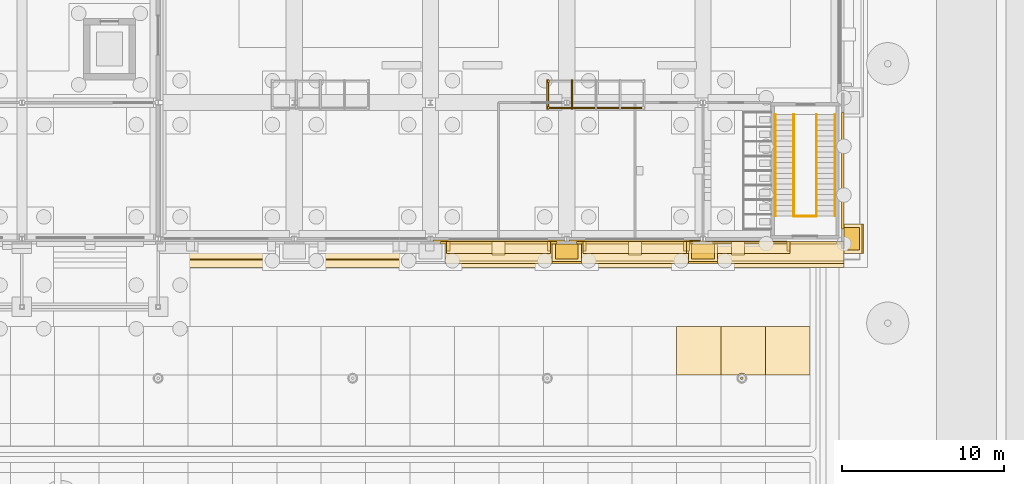
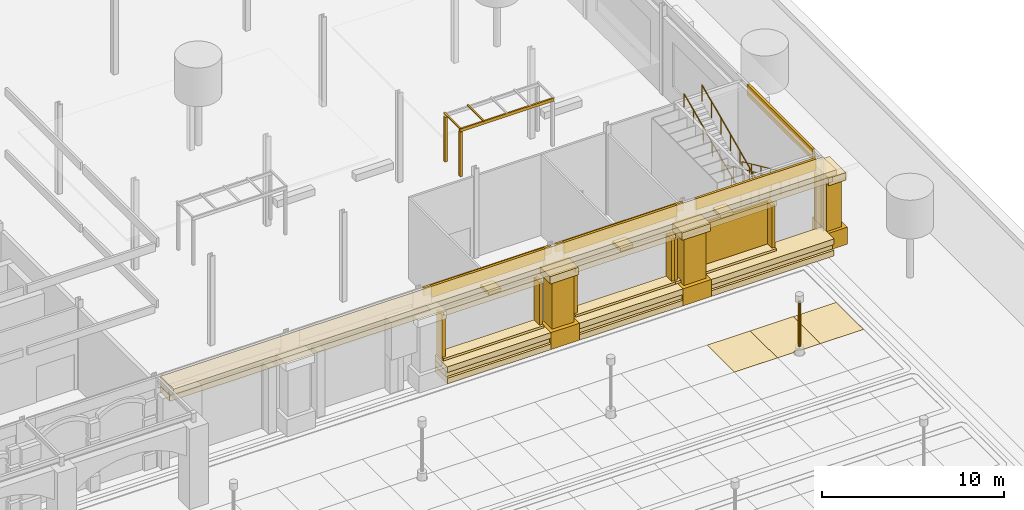
# One storey, part 163 of 222: 47 coverings, 5 railings, 5 shading devices.
"""IFC4 building model written with IfcOpenShell, lengths in metres."""

from ifc_helpers import new_model, si_unit, direction, frame, origin, origin_2d, place, context, subcontext, project, spatial, polyline, rectangle, circle, outline, extrude, material, layer, layer_set, material_profile, profile_set, type_object, element, save


model = new_model("IFC4")

# Units and contexts
model_context = context("Model", 3, precision=1e-05, world=origin(), true_north=direction((0.0, 1.0)))
body_context = subcontext(model_context, "Body", "Model", "MODEL_VIEW")
ifc_project = project(units=[si_unit("LENGTHUNIT", "METRE"), si_unit("AREAUNIT", "SQUARE_METRE"), si_unit("VOLUMEUNIT", "CUBIC_METRE"), si_unit("PLANEANGLEUNIT", "RADIAN"), si_unit("MASSUNIT", "GRAM", prefix="KILO")], contexts=[model_context])

# Site, building, storey
site_placement = place(None, origin())
site = spatial("IfcSite", under=ifc_project, at=site_placement, CompositionType="ELEMENT")
building_placement = place(site_placement, origin())
building = spatial("IfcBuilding", under=site, at=building_placement, Name="Sava Quay Ferry Terminal", CompositionType="ELEMENT")
storey_placement = place(building_placement, origin())
storey = spatial("IfcBuildingStorey", under=building, at=storey_placement, Name="L00", CompositionType="ELEMENT", Elevation=0.0)

# Coverings
ifc_material_1 = material(Name="Limestone Mutalj", Category="masonry")
ifc_layer_1 = layer(ifc_material_1, 1.0)
ifc_layer_set_1 = layer_set([ifc_layer_1], Name="Limestone Mutalj")
covering_type_1 = type_object("IfcCoveringType", Name="Architrave 1000", PredefinedType="MOLDING", material=ifc_layer_set_1)
covering_1_placement = place(storey_placement, frame((147.22509765625, 24.389892578125, 4.900146484375), z_axis=(0.0, 0.0, 1.0), x_axis=(1.0, 0.0, 0.0)))
element("IfcCovering", 1, at=covering_1_placement, inside=storey, type_object=covering_type_1, Name="Architrave", PredefinedType="MOLDING", context=body_context, shape_type="SweptSolid", body=[
    extrude(rectangle(XDim=42.14990234375, YDim=1.0, at=origin_2d()), origin(), (0.0, 0.0, 1.0), 0.39990234375),
])
ifc_material_2 = material(Name="Limestone Mutalj", Category="masonry")
ifc_layer_2 = layer(ifc_material_2, 0.1201171875)
ifc_layer_set_2 = layer_set([ifc_layer_2], Name="Limestone Mutalj")
covering_type_2 = type_object("IfcCoveringType", Name="Blind niche panel 120", PredefinedType="CLADDING", material=ifc_layer_set_2)
covering_2_placement = place(storey_placement, frame((161.77490234375, 24.97998046875, 1.349853515625), z_axis=(0.0, 0.0, 1.0), x_axis=(1.0, 0.0, 0.0)))
element("IfcCovering", 2, at=covering_2_placement, inside=storey, type_object=covering_type_2, Name="Blind niche panel", PredefinedType="CLADDING", context=body_context, shape_type="SweptSolid", body=[
    extrude(rectangle(XDim=6.0, YDim=0.1201171875, at=origin_2d()), origin(), (0.0, 0.0, 1.0), 2.85009765625),
])
ifc_material_3 = material(Name="Limestone Mutalj", Category="masonry")
ifc_layer_3 = layer(ifc_material_3, 1.449951171875)
ifc_layer_set_3 = layer_set([ifc_layer_3], Name="Limestone Mutalj")
covering_type_3 = type_object("IfcCoveringType", Name="Cornice 1450", PredefinedType="MOLDING", material=ifc_layer_set_3)
covering_3_placement = place(storey_placement, frame((147.22509765625, 24.1650390625, 5.64990234375), z_axis=(0.0, 0.0, 1.0), x_axis=(1.0, 0.0, 0.0)))
element("IfcCovering", 3, at=covering_3_placement, inside=storey, type_object=covering_type_3, Name="Cornice", PredefinedType="MOLDING", context=body_context, shape_type="SweptSolid", body=[
    extrude(rectangle(XDim=42.14990234375, YDim=1.449951171875, at=origin_2d()), origin(), (0.0, 0.0, 1.0), 0.35009765625),
])
ifc_material_4 = material(Name="Limestone Mutalj", Category="masonry")
ifc_layer_4 = layer(ifc_material_4, 0.030029296875)
ifc_layer_set_4 = layer_set([ifc_layer_4], Name="Limestone Mutalj")
covering_type_4 = type_object("IfcCoveringType", Name="Court paving tile 30", PredefinedType="FLOORING", material=ifc_layer_set_4)
covering_4_placement = place(storey_placement, origin())
element("IfcCovering", 4, at=covering_4_placement, inside=storey, type_object=covering_type_4, Name="Limestone paving tile", PredefinedType="FLOORING", context=body_context, shape_type="SweptSolid", body=[
    extrude(outline(polyline([(160.719970703125, 16.800048828125), (160.719970703125, 19.800048828125), (157.97998046875, 19.800048828125), (157.97998046875, 16.800048828125), (160.719970703125, 16.800048828125)])), origin(), (0.0, 0.0, 1.0), 0.030029296875),
])
covering_5_placement = place(storey_placement, origin())
element("IfcCovering", 5, at=covering_5_placement, inside=storey, type_object=covering_type_4, Name="Limestone paving tile", PredefinedType="FLOORING", context=body_context, shape_type="SweptSolid", body=[
    extrude(outline(polyline([(166.18994140625, 19.800048828125), (163.4599609375, 19.800048828125), (163.4599609375, 16.800048828125), (166.18994140625, 16.800048828125), (166.18994140625, 19.800048828125)])), origin(), (0.0, 0.0, 1.0), 0.030029296875),
])
ifc_material_5 = material(Name="Red sandstone Vrsac", Category="masonry")
ifc_layer_5 = layer(ifc_material_5, 0.030029296875)
ifc_layer_set_5 = layer_set([ifc_layer_5], Name="Red sandstone Vrsac")
covering_type_5 = type_object("IfcCoveringType", Name="Court paving tile sandstone 30", PredefinedType="FLOORING", material=ifc_layer_set_5)
covering_6_placement = place(storey_placement, origin())
element("IfcCovering", 6, at=covering_6_placement, inside=storey, type_object=covering_type_5, Name="Sandstone paving tile", PredefinedType="FLOORING", context=body_context, shape_type="SweptSolid", body=[
    extrude(outline(polyline([(163.4599609375, 16.800048828125), (163.4599609375, 19.800048828125), (160.719970703125, 19.800048828125), (160.719970703125, 16.800048828125), (161.762939453125, 16.800048828125), (161.781005859375, 16.820068359375), (161.802978515625, 16.839111328125), (161.826904296875, 16.85693359375), (161.85302734375, 16.873046875), (161.881103515625, 16.885986328125), (161.909912109375, 16.89599609375), (161.93994140625, 16.904052734375), (161.969970703125, 16.908935546875), (162.0, 16.909912109375), (162.031005859375, 16.907958984375), (162.06103515625, 16.904052734375), (162.090087890625, 16.89599609375), (162.118896484375, 16.885986328125), (162.14697265625, 16.873046875), (162.173095703125, 16.85693359375), (162.197021484375, 16.839111328125), (162.218994140625, 16.820068359375), (162.237060546875, 16.800048828125), (163.4599609375, 16.800048828125)])), origin(), (0.0, 0.0, 1.0), 0.030029296875),
])
ifc_material_6 = material(Name="Limestone Mutalj", Category="masonry")
ifc_layer_6 = layer(ifc_material_6, 0.949951171875)
ifc_layer_set_6 = layer_set([ifc_layer_6], Name="Limestone Mutalj")
covering_type_6 = type_object("IfcCoveringType", Name="Frieze 950", PredefinedType="MOLDING", material=ifc_layer_set_6)
covering_7_placement = place(storey_placement, frame((147.22509765625, 24.4150390625, 5.300048828125), z_axis=(0.0, 0.0, 1.0), x_axis=(1.0, 0.0, 0.0)))
element("IfcCovering", 7, at=covering_7_placement, inside=storey, type_object=covering_type_6, Name="Frieze", PredefinedType="MOLDING", context=body_context, shape_type="SweptSolid", body=[
    extrude(rectangle(XDim=42.14990234375, YDim=0.949951171875, at=origin_2d()), origin(), (0.0, 0.0, 1.0), 0.35009765625),
])
ifc_material_7 = material(Name="Red sandstone Vrsac", Category="masonry")
ifc_layer_7 = layer(ifc_material_7, 1.35009765625)
ifc_layer_set_7 = layer_set([ifc_layer_7], Name="Red sandstone Vrsac")
covering_type_7 = type_object("IfcCoveringType", Name="Giant order base course 1350", PredefinedType="MOLDING", material=ifc_layer_set_7)
covering_8_placement = place(storey_placement, frame((147.0, 24.364990234375, 0.06005859375), z_axis=(0.0, 0.0, 1.0), x_axis=(1.0, 0.0, 0.0)))
element("IfcCovering", 8, at=covering_8_placement, inside=storey, type_object=covering_type_7, Name="Rusticated base course", PredefinedType="MOLDING", context=body_context, shape_type="SweptSolid", body=[
    extrude(rectangle(XDim=6.60009765625, YDim=1.35009765625, at=origin_2d()), origin(), (0.0, 0.0, 1.0), 0.3798828125),
])
covering_9_placement = place(storey_placement, frame((147.0, 24.43994140625, 0.43994140625), z_axis=(0.0, 0.0, 1.0), x_axis=(1.0, 0.0, 0.0)))
element("IfcCovering", 9, at=covering_9_placement, inside=storey, type_object=covering_type_7, Name="Rusticated base course", PredefinedType="MOLDING", context=body_context, shape_type="SweptSolid", body=[
    extrude(rectangle(XDim=6.60009765625, YDim=1.199951171875, at=origin_2d()), origin(), (0.0, 0.0, 1.0), 0.3798828125),
])
for number, where, z_axis, x_axis, name in (
    (10, (147.0, 24.364990234375, 0.820068359375), (0.0, 0.0, 1.0), (1.0, 0.0, 0.0), "Rusticated base course"),
    (11, (155.39990234375, 24.364990234375, 0.06005859375), (0.0, 0.0, 1.0), (1.0, 0.0, 0.0), "Rusticated base course"),
):
    element("IfcCovering", number, at=place(storey_placement, frame(where, z_axis=z_axis, x_axis=x_axis)), inside=storey, type_object=covering_type_7, Name=name, PredefinedType="MOLDING", context=body_context, shape_type="SweptSolid", body=[
        extrude(rectangle(XDim=6.60009765625, YDim=1.35009765625, at=origin_2d()), origin(), (0.0, 0.0, 1.0), 0.3798828125),
    ])
covering_10_placement = place(storey_placement, frame((155.39990234375, 24.43994140625, 0.43994140625), z_axis=(0.0, 0.0, 1.0), x_axis=(1.0, 0.0, 0.0)))
element("IfcCovering", 12, at=covering_10_placement, inside=storey, type_object=covering_type_7, Name="Rusticated base course", PredefinedType="MOLDING", context=body_context, shape_type="SweptSolid", body=[
    extrude(rectangle(XDim=6.60009765625, YDim=1.199951171875, at=origin_2d()), origin(), (0.0, 0.0, 1.0), 0.3798828125),
])
covering_11_placement = place(storey_placement, frame((155.39990234375, 24.364990234375, 0.820068359375), z_axis=(0.0, 0.0, 1.0), x_axis=(1.0, 0.0, 0.0)))
element("IfcCovering", 13, at=covering_11_placement, inside=storey, type_object=covering_type_7, Name="Rusticated base course", PredefinedType="MOLDING", context=body_context, shape_type="SweptSolid", body=[
    extrude(rectangle(XDim=6.60009765625, YDim=1.35009765625, at=origin_2d()), origin(), (0.0, 0.0, 1.0), 0.3798828125),
])
covering_12_placement = place(storey_placement, frame((164.39990234375, 24.364990234375, 0.06005859375), z_axis=(0.0, 0.0, 1.0), x_axis=(1.0, 0.0, 0.0)))
element("IfcCovering", 14, at=covering_12_placement, inside=storey, type_object=covering_type_7, Name="Rusticated base course", PredefinedType="MOLDING", context=body_context, shape_type="SweptSolid", body=[
    extrude(rectangle(XDim=7.800048828125, YDim=1.35009765625, at=origin_2d()), origin(), (0.0, 0.0, 1.0), 0.3798828125),
])
covering_13_placement = place(storey_placement, frame((164.39990234375, 24.43994140625, 0.43994140625), z_axis=(0.0, 0.0, 1.0), x_axis=(1.0, 0.0, 0.0)))
element("IfcCovering", 15, at=covering_13_placement, inside=storey, type_object=covering_type_7, Name="Rusticated base course", PredefinedType="MOLDING", context=body_context, shape_type="SweptSolid", body=[
    extrude(rectangle(XDim=7.800048828125, YDim=1.199951171875, at=origin_2d()), origin(), (0.0, 0.0, 1.0), 0.3798828125),
])
covering_14_placement = place(storey_placement, frame((164.39990234375, 24.364990234375, 0.820068359375), z_axis=(0.0, 0.0, 1.0), x_axis=(1.0, 0.0, 0.0)))
element("IfcCovering", 16, at=covering_14_placement, inside=storey, type_object=covering_type_7, Name="Rusticated base course", PredefinedType="MOLDING", context=body_context, shape_type="SweptSolid", body=[
    extrude(rectangle(XDim=7.800048828125, YDim=1.35009765625, at=origin_2d()), origin(), (0.0, 0.0, 1.0), 0.3798828125),
])
ifc_material_8 = material(Name="Limestone Mutalj", Category="masonry")
ifc_layer_8 = layer(ifc_material_8, 1.10009765625)
ifc_layer_set_8 = layer_set([ifc_layer_8], Name="Limestone Mutalj")
covering_type_8 = type_object("IfcCoveringType", Name="Giant order capital 1100", PredefinedType="MOLDING", material=ifc_layer_set_8)
for number, where, z_axis, x_axis, name in (
    (17, (151.199951171875, 24.340087890625, 4.39990234375), (0.0, 0.0, 1.0), (1.0, 0.0, 0.0), "Giant order capital"),
    (18, (159.60009765625, 24.340087890625, 4.39990234375), (0.0, 0.0, 1.0), (1.0, 0.0, 0.0), "Giant order capital"),
):
    element("IfcCovering", number, at=place(storey_placement, frame(where, z_axis=z_axis, x_axis=x_axis)), inside=storey, type_object=covering_type_8, Name=name, PredefinedType="MOLDING", context=body_context, shape_type="SweptSolid", body=[
        extrude(rectangle(XDim=1.800048828125, YDim=1.10009765625, at=origin_2d()), origin(), (0.0, 0.0, 1.0), 0.5),
    ])
covering_15_placement = place(storey_placement, frame((168.85009765625, 25.199951171875, 4.39990234375), z_axis=(0.0, 0.0, 1.0), x_axis=(1.0, 0.0, 0.0)))
element("IfcCovering", 19, at=covering_15_placement, inside=storey, type_object=covering_type_8, Name="Giant order capital", PredefinedType="MOLDING", context=body_context, shape_type="SweptSolid", body=[
    extrude(rectangle(XDim=1.10009765625, YDim=1.800048828125, at=origin_2d()), origin(), (0.0, 0.0, 1.0), 0.5),
])
ifc_material_9 = material(Name="Red sandstone Vrsac", Category="masonry")
ifc_layer_9 = layer(ifc_material_9, 1.199951171875)
ifc_layer_set_9 = layer_set([ifc_layer_9], Name="Red sandstone Vrsac")
covering_type_9 = type_object("IfcCoveringType", Name="Giant order pier block 1200", PredefinedType="MOLDING", material=ifc_layer_set_9)
for number, where, z_axis, x_axis, name in (
    (20, (151.199951171875, 24.2900390625, 0.06005859375), (0.0, 0.0, 1.0), (1.0, 0.0, 0.0), "Giant order pier block"),
    (21, (159.60009765625, 24.2900390625, 0.06005859375), (0.0, 0.0, 1.0), (1.0, 0.0, 0.0), "Giant order pier block"),
):
    element("IfcCovering", number, at=place(storey_placement, frame(where, z_axis=z_axis, x_axis=x_axis)), inside=storey, type_object=covering_type_9, Name=name, PredefinedType="MOLDING", context=body_context, shape_type="SweptSolid", body=[
        extrude(rectangle(XDim=1.800048828125, YDim=1.199951171875, at=origin_2d()), origin(), (0.0, 0.0, 1.0), 1.139892578125),
    ])
covering_16_placement = place(storey_placement, frame((168.89990234375, 25.199951171875, 0.06005859375), z_axis=(0.0, 0.0, 1.0), x_axis=(1.0, 0.0, 0.0)))
element("IfcCovering", 22, at=covering_16_placement, inside=storey, type_object=covering_type_9, Name="Giant order pier block", PredefinedType="MOLDING", context=body_context, shape_type="SweptSolid", body=[
    extrude(rectangle(XDim=1.199951171875, YDim=1.800048828125, at=origin_2d()), origin(), (0.0, 0.0, 1.0), 1.139892578125),
])
ifc_material_10 = material(Name="Limestone Mutalj", Category="masonry")
ifc_layer_10 = layer(ifc_material_10, 0.949951171875)
ifc_layer_set_10 = layer_set([ifc_layer_10], Name="Limestone Mutalj")
covering_type_10 = type_object("IfcCoveringType", Name="Giant order pilaster 950", PredefinedType="CLADDING", material=ifc_layer_set_10)
for number, where, z_axis, x_axis, name in (
    (23, (151.199951171875, 24.4150390625, 1.2001953125), (0.0, 0.0, 1.0), (1.0, 0.0, 0.0), "Giant order pilaster"),
    (24, (159.60009765625, 24.4150390625, 1.2001953125), (0.0, 0.0, 1.0), (1.0, 0.0, 0.0), "Giant order pilaster"),
):
    element("IfcCovering", number, at=place(storey_placement, frame(where, z_axis=z_axis, x_axis=x_axis)), inside=storey, type_object=covering_type_10, Name=name, PredefinedType="CLADDING", context=body_context, shape_type="SweptSolid", body=[
        extrude(rectangle(XDim=1.39990234375, YDim=0.949951171875, at=origin_2d()), origin(), (0.0, 0.0, 1.0), 3.199951171875),
    ])
covering_17_placement = place(storey_placement, frame((168.77490234375, 25.199951171875, 1.2001953125), z_axis=(0.0, 0.0, 1.0), x_axis=(1.0, 0.0, 0.0)))
element("IfcCovering", 25, at=covering_17_placement, inside=storey, type_object=covering_type_10, Name="Giant order pilaster", PredefinedType="CLADDING", context=body_context, shape_type="SweptSolid", body=[
    extrude(rectangle(XDim=0.949951171875, YDim=1.39990234375, at=origin_2d()), origin(), (0.0, 0.0, 1.0), 3.199951171875),
])

# Railings
ifc_material_11 = material(Name="Steel S355", Category="steel")
railing_type_1 = type_object("IfcRailingType", Name="Guard 1100", PredefinedType="GUARDRAIL", material=ifc_material_11)
railing_1_placement = place(storey_placement, frame((166.60009765625, 32.8701171875, 0.14990234375)))
element("IfcRailing", 26, at=railing_1_placement, inside=storey, type_object=railing_type_1, Name="Guard at stair well ST-V1 L00", PredefinedType="GUARDRAIL", context=body_context, shape_type="SweptSolid", body=[
    extrude(circle(Radius=0.02392578125, at=origin_2d()), frame((0.0, 0.0, 1.076171875), z_axis=(0.0, -0.910361621584, 0.413813627068), x_axis=(1.0, 0.0, 0.0)), (0.0, 0.0, 1.0), 6.887451171875),
    extrude(circle(Radius=0.02099609375, at=origin_2d()), origin(), (0.0, 0.0, 1.0), 1.052001953125),
    extrude(circle(Radius=0.02099609375, at=origin_2d()), frame((0.0, -1.044921875, 0.47509765625)), (0.0, 0.0, 1.0), 1.052001953125),
    extrude(circle(Radius=0.02099609375, at=origin_2d()), frame((0.0, -2.090087890625, 0.949951171875)), (0.0, 0.0, 1.0), 1.052001953125),
    extrude(circle(Radius=0.02099609375, at=origin_2d()), frame((0.0, -3.135009765625, 1.425048828125)), (0.0, 0.0, 1.0), 1.052001953125),
    extrude(circle(Radius=0.02099609375, at=origin_2d()), frame((0.0, -4.179931640625, 1.900146484375)), (0.0, 0.0, 1.0), 1.052001953125),
    extrude(circle(Radius=0.02099609375, at=origin_2d()), frame((0.0, -5.22509765625, 2.375)), (0.0, 0.0, 1.0), 1.052001953125),
    extrude(circle(Radius=0.02099609375, at=origin_2d()), frame((0.0, -6.27001953125, 2.85009765625)), (0.0, 0.0, 1.0), 1.052001953125),
])
railing_2_placement = place(storey_placement, frame((165.199951171875, 26.60009765625, 3.14990234375)))
element("IfcRailing", 27, at=railing_2_placement, inside=storey, type_object=railing_type_1, Name="Guard at stair well ST-V1 L00", PredefinedType="GUARDRAIL", context=body_context, shape_type="SweptSolid", body=[
    extrude(circle(Radius=0.02392578125, at=origin_2d()), frame((0.0, 0.0, 1.076171875), z_axis=(0.0, 0.910361621584, 0.413813627068), x_axis=(-1.0, 0.0, 0.0)), (0.0, 0.0, 1.0), 6.887451171875),
    extrude(circle(Radius=0.02099609375, at=origin_2d()), origin(), (0.0, 0.0, 1.0), 1.052001953125),
    extrude(circle(Radius=0.02099609375, at=origin_2d()), frame((0.0, 1.044921875, 0.47509765625)), (0.0, 0.0, 1.0), 1.052001953125),
    extrude(circle(Radius=0.02099609375, at=origin_2d()), frame((0.0, 2.090087890625, 0.949951171875)), (0.0, 0.0, 1.0), 1.052001953125),
    extrude(circle(Radius=0.02099609375, at=origin_2d()), frame((0.0, 3.135009765625, 1.425048828125)), (0.0, 0.0, 1.0), 1.052001953125),
    extrude(circle(Radius=0.02099609375, at=origin_2d()), frame((0.0, 4.179931640625, 1.900146484375)), (0.0, 0.0, 1.0), 1.052001953125),
    extrude(circle(Radius=0.02099609375, at=origin_2d()), frame((0.0, 5.22509765625, 2.375)), (0.0, 0.0, 1.0), 1.052001953125),
    extrude(circle(Radius=0.02099609375, at=origin_2d()), frame((0.0, 6.27001953125, 2.85009765625)), (0.0, 0.0, 1.0), 1.052001953125),
])
railing_3_placement = place(storey_placement, frame((165.199951171875, 26.60009765625, 3.0)))
element("IfcRailing", 28, at=railing_3_placement, inside=storey, type_object=railing_type_1, Name="Guard at half landing ST-V1 L00", PredefinedType="GUARDRAIL", context=body_context, shape_type="SweptSolid", body=[
    extrude(circle(Radius=0.02392578125, at=origin_2d()), frame((0.0, 0.0, 1.076171875), z_axis=(1.0, 0.0, 0.0), x_axis=(0.0, 1.0, 0.0)), (0.0, 0.0, 1.0), 1.400146484375),
    extrude(circle(Radius=0.02099609375, at=origin_2d()), origin(), (0.0, 0.0, 1.0), 1.052001953125),
    extrude(circle(Radius=0.02099609375, at=origin_2d()), frame((0.7001953125, 0.0, 0.0)), (0.0, 0.0, 1.0), 1.052001953125),
    extrude(circle(Radius=0.02099609375, at=origin_2d()), frame((1.400146484375, 0.0, 0.0)), (0.0, 0.0, 1.0), 1.052001953125),
])

# Coverings
ifc_material_12 = material(Name="Limestone Mutalj", Category="masonry")
ifc_layer_11 = layer(ifc_material_12, 0.85009765625)
ifc_layer_set_11 = layer_set([ifc_layer_11], Name="Limestone Mutalj")
covering_type_11 = type_object("IfcCoveringType", Name="Keystone 850", PredefinedType="MOLDING", material=ifc_layer_set_11)
for number, where, z_axis, x_axis, name in (
    (29, (147.0, 24.614990234375, 4.7001953125), (0.0, 0.0, 1.0), (1.0, 0.0, 0.0), "Keystone"),
    (30, (155.39990234375, 24.614990234375, 4.7001953125), (0.0, 0.0, 1.0), (1.0, 0.0, 0.0), "Keystone"),
    (31, (161.77490234375, 24.614990234375, 4.7001953125), (0.0, 0.0, 1.0), (1.0, 0.0, 0.0), "Keystone"),
):
    element("IfcCovering", number, at=place(storey_placement, frame(where, z_axis=z_axis, x_axis=x_axis)), inside=storey, type_object=covering_type_11, Name=name, PredefinedType="MOLDING", context=body_context, shape_type="SweptSolid", body=[
        extrude(rectangle(XDim=0.800048828125, YDim=0.85009765625, at=origin_2d()), origin(), (0.0, 0.0, 1.0), 0.199951171875),
    ])
ifc_material_13 = material(Name="Steel S355", Category="steel")
ifc_layer_12 = layer(ifc_material_13, 0.159912109375)
ifc_layer_set_12 = layer_set([ifc_layer_12], Name="Steel S355")
covering_type_12 = type_object("IfcCoveringType", Name="Lamp standard column 160", PredefinedType="CLADDING", material=ifc_layer_set_12)
covering_18_placement = place(storey_placement, frame((162.0, 16.60009765625, 3.550048828125), z_axis=(0.0, 0.0, -1.0), x_axis=(1.0, 0.0, 0.0)))
element("IfcCovering", 32, at=covering_18_placement, inside=storey, type_object=covering_type_12, Name="Lamp standard column", PredefinedType="CLADDING", context=body_context, shape_type="SweptSolid", body=[
    extrude(circle(Radius=0.080078125, at=origin_2d()), origin(), (0.0, 0.0, 1.0), 3.050048828125),
])
ifc_material_14 = material(Name="Limestone Mutalj", Category="masonry")
ifc_layer_13 = layer(ifc_material_14, 0.14990234375)
ifc_layer_set_13 = layer_set([ifc_layer_13], Name="Limestone Mutalj")
covering_type_13 = type_object("IfcCoveringType", Name="Limestone string course 150", PredefinedType="CLADDING", material=ifc_layer_set_13)
covering_19_placement = place(storey_placement, frame((0.0, 0.0, 5.25)))
element("IfcCovering", 33, at=covering_19_placement, inside=storey, type_object=covering_type_13, Name="String course V-S", PredefinedType="CLADDING", context=body_context, shape_type="SweptSolid", body=[
    extrude(outline(polyline([(143.39990234375, 25.0400390625), (150.60009765625, 25.0400390625), (150.60009765625, 24.889892578125), (143.39990234375, 24.889892578125), (143.39990234375, 25.0400390625)])), origin(), (0.0, 0.0, 1.0), 0.75),
])
covering_20_placement = place(storey_placement, frame((0.0, 0.0, 5.25)))
element("IfcCovering", 34, at=covering_20_placement, inside=storey, type_object=covering_type_13, Name="String course V-S", PredefinedType="CLADDING", context=body_context, shape_type="SweptSolid", body=[
    extrude(outline(polyline([(151.800048828125, 25.0400390625), (159.0, 25.0400390625), (159.0, 24.889892578125), (151.800048828125, 24.889892578125), (151.800048828125, 25.0400390625)])), origin(), (0.0, 0.0, 1.0), 0.75),
])
covering_21_placement = place(storey_placement, frame((0.0, 0.0, 5.25)))
element("IfcCovering", 35, at=covering_21_placement, inside=storey, type_object=covering_type_13, Name="String course V-S", PredefinedType="CLADDING", context=body_context, shape_type="SweptSolid", body=[
    extrude(outline(polyline([(160.199951171875, 25.0400390625), (167.85009765625, 25.0400390625), (167.85009765625, 24.889892578125), (160.199951171875, 24.889892578125), (160.199951171875, 25.0400390625)])), origin(), (0.0, 0.0, 1.0), 0.75),
])
covering_22_placement = place(storey_placement, frame((0.0, 0.0, 5.25)))
element("IfcCovering", 36, at=covering_22_placement, inside=storey, type_object=covering_type_13, Name="String course V-E", PredefinedType="CLADDING", context=body_context, shape_type="SweptSolid", body=[
    extrude(outline(polyline([(168.14990234375, 25.800048828125), (168.14990234375, 33.0), (168.300048828125, 33.0), (168.300048828125, 25.800048828125), (168.14990234375, 25.800048828125)])), origin(), (0.0, 0.0, 1.0), 0.75),
])

# Shading devices
ifc_material_15 = material(Name="Glulam GL28h", Category="wood")
ifc_material_profile_1 = material_profile(ifc_material_15, rectangle(XDim=0.10009765625, YDim=0.199951171875, at=origin_2d()), Name="Pergola 100 x 200")
ifc_profile_set_1 = profile_set([ifc_material_profile_1], Name="Glulam GL28h")
shading_device_type_1 = type_object("IfcShadingDeviceType", Name="Pergola beam 100x200", PredefinedType="USERDEFINED", material=ifc_profile_set_1)
shading_device_placement = place(storey_placement, frame((150.0, 33.27490234375, 9.10009765625), z_axis=(1.0, 0.0, 0.0), x_axis=(0.0, 1.0, 0.0)))
element("IfcShadingDevice", 37, at=shading_device_placement, inside=storey, type_object=shading_device_type_1, Name="Pergola beam", ObjectType="PERGOLA BEAM", PredefinedType="USERDEFINED", context=body_context, shape_type="SweptSolid", body=[
    extrude(rectangle(XDim=0.10009765625, YDim=0.199951171875, at=origin_2d()), origin(), (0.0, 0.0, 1.0), 6.0),
])
ifc_material_16 = material(Name="Glulam GL28h", Category="wood")
ifc_material_profile_2 = material_profile(ifc_material_16, rectangle(XDim=0.14990234375, YDim=0.14990234375, at=origin_2d()), Name="Pergola 150 x 150")
ifc_profile_set_2 = profile_set([ifc_material_profile_2], Name="Glulam GL28h")
shading_device_type_2 = type_object("IfcShadingDeviceType", Name="Pergola post 150", PredefinedType="USERDEFINED", material=ifc_profile_set_2)
for number, where, z_axis, x_axis, name in (
    (38, (150.074951171875, 33.27490234375, 6.0), (0.0, 0.0, 1.0), (1.0, 0.0, 0.0), "Pergola post"),
    (39, (150.074951171875, 34.925048828125, 6.0), (0.0, 0.0, 1.0), (1.0, 0.0, 0.0), "Pergola post"),
):
    element("IfcShadingDevice", number, at=place(storey_placement, frame(where, z_axis=z_axis, x_axis=x_axis)), inside=storey, type_object=shading_device_type_2, Name=name, ObjectType="PERGOLA POST", PredefinedType="USERDEFINED", context=body_context, shape_type="SweptSolid", body=[
        extrude(rectangle(XDim=0.14990234375, YDim=0.14990234375, at=origin_2d()), origin(), (0.0, 0.0, 1.0), 3.0),
    ])
ifc_material_17 = material(Name="Glulam GL28h", Category="wood")
ifc_material_profile_3 = material_profile(ifc_material_17, rectangle(XDim=0.06005859375, YDim=0.10009765625, at=origin_2d()), Name="Pergola 60 x 100")
ifc_profile_set_3 = profile_set([ifc_material_profile_3], Name="Glulam GL28h")
shading_device_type_3 = type_object("IfcShadingDeviceType", Name="Pergola rafter 60x100", PredefinedType="USERDEFINED", material=ifc_profile_set_3)
for number, where, z_axis, x_axis, name in (
    (40, (150.030029296875, 33.199951171875, 9.22998046875), (0.0, 1.0, 0.0), (0.0, 0.0, 1.0), "Pergola rafter"),
    (41, (151.514892578125, 33.199951171875, 9.22998046875), (0.0, 1.0, 0.0), (0.0, 0.0, 1.0), "Pergola rafter"),
):
    element("IfcShadingDevice", number, at=place(storey_placement, frame(where, z_axis=z_axis, x_axis=x_axis)), inside=storey, type_object=shading_device_type_3, Name=name, ObjectType="PERGOLA RAFTER", PredefinedType="USERDEFINED", context=body_context, shape_type="SweptSolid", body=[
        extrude(rectangle(XDim=0.06005859375, YDim=0.10009765625, at=origin_2d()), origin(), (0.0, 0.0, 1.0), 1.800048828125),
    ])

# Coverings
ifc_material_18 = material(Name="Limestone Mutalj", Category="masonry")
ifc_layer_14 = layer(ifc_material_18, 0.60009765625)
ifc_layer_set_14 = layer_set([ifc_layer_14], Name="Limestone Mutalj")
covering_type_14 = type_object("IfcCoveringType", Name="Reveal jamb 600", PredefinedType="MOLDING", material=ifc_layer_set_14)
for number, where, z_axis, x_axis, name in (
    (42, (143.89990234375, 24.739990234375, 1.199951171875), (0.0, 0.0, 1.0), (1.0, 0.0, 0.0), "Reveal jamb"),
    (43, (150.10009765625, 24.739990234375, 1.199951171875), (0.0, 0.0, 1.0), (1.0, 0.0, 0.0), "Reveal jamb"),
    (44, (152.300048828125, 24.739990234375, 1.199951171875), (0.0, 0.0, 1.0), (1.0, 0.0, 0.0), "Reveal jamb"),
    (45, (158.5, 24.739990234375, 1.199951171875), (0.0, 0.0, 1.0), (1.0, 0.0, 0.0), "Reveal jamb"),
    (46, (158.675048828125, 24.739990234375, 1.199951171875), (0.0, 0.0, 1.0), (1.0, 0.0, 0.0), "Reveal jamb"),
    (47, (164.875, 24.739990234375, 1.199951171875), (0.0, 0.0, 1.0), (1.0, 0.0, 0.0), "Reveal jamb"),
):
    element("IfcCovering", number, at=place(storey_placement, frame(where, z_axis=z_axis, x_axis=x_axis)), inside=storey, type_object=covering_type_14, Name=name, PredefinedType="MOLDING", context=body_context, shape_type="SweptSolid", body=[
        extrude(rectangle(XDim=0.199951171875, YDim=0.60009765625, at=origin_2d()), origin(), (0.0, 0.0, 1.0), 3.0),
    ])
ifc_material_19 = material(Name="Limestone Mutalj", Category="masonry")
ifc_layer_15 = layer(ifc_material_19, 0.75)
ifc_layer_set_15 = layer_set([ifc_layer_15], Name="Limestone Mutalj")
covering_type_15 = type_object("IfcCoveringType", Name="Reveal lintel 750", PredefinedType="MOLDING", material=ifc_layer_set_15)
for number, where, z_axis, x_axis, name in (
    (48, (147.0, 24.6650390625, 4.199951171875), (0.0, 0.0, 1.0), (1.0, 0.0, 0.0), "Reveal lintel"),
    (49, (155.39990234375, 24.6650390625, 4.199951171875), (0.0, 0.0, 1.0), (1.0, 0.0, 0.0), "Reveal lintel"),
    (50, (161.77490234375, 24.6650390625, 4.199951171875), (0.0, 0.0, 1.0), (1.0, 0.0, 0.0), "Reveal lintel"),
):
    element("IfcCovering", number, at=place(storey_placement, frame(where, z_axis=z_axis, x_axis=x_axis)), inside=storey, type_object=covering_type_15, Name=name, PredefinedType="MOLDING", context=body_context, shape_type="SweptSolid", body=[
        extrude(rectangle(XDim=6.39990234375, YDim=0.75, at=origin_2d()), origin(), (0.0, 0.0, 1.0), 0.5),
    ])
ifc_material_20 = material(Name="Limestone Mutalj", Category="masonry")
ifc_layer_16 = layer(ifc_material_20, 0.14990234375)
ifc_layer_set_16 = layer_set([ifc_layer_16], Name="Limestone Mutalj")
covering_type_16 = type_object("IfcCoveringType", Name="Slab edge fascia 150", PredefinedType="CLADDING", material=ifc_layer_set_16)
covering_23_placement = place(storey_placement, frame((0.0, 0.0, 5.449951171875)))
element("IfcCovering", 51, at=covering_23_placement, inside=storey, type_object=covering_type_16, Name="Slab edge fascia", PredefinedType="CLADDING", context=body_context, shape_type="SweptSolid", body=[
    extrude(outline(polyline([(151.050048828125, 25.112060546875), (142.949951171875, 25.112060546875), (142.949951171875, 24.9619140625), (151.050048828125, 24.9619140625), (151.050048828125, 25.112060546875)])), origin(), (0.0, 0.0, 1.0), 0.550048828125),
])
covering_24_placement = place(storey_placement, frame((0.0, 0.0, 5.449951171875)))
element("IfcCovering", 52, at=covering_24_placement, inside=storey, type_object=covering_type_16, Name="Slab edge fascia", PredefinedType="CLADDING", context=body_context, shape_type="SweptSolid", body=[
    extrude(outline(polyline([(159.449951171875, 25.112060546875), (151.35009765625, 25.112060546875), (151.35009765625, 24.9619140625), (159.449951171875, 24.9619140625), (159.449951171875, 25.112060546875)])), origin(), (0.0, 0.0, 1.0), 0.550048828125),
])

# Railings
ifc_material_21 = material(Name="Steel S355", Category="steel")
railing_type_2 = type_object("IfcRailingType", Name="Stair handrail 900", PredefinedType="HANDRAIL", material=ifc_material_21)
railing_4_placement = place(storey_placement, frame((167.739990234375, 32.8701171875, 0.14990234375)))
element("IfcRailing", 53, at=railing_4_placement, inside=storey, type_object=railing_type_2, Name="Handrail ST-V1 L00", PredefinedType="HANDRAIL", context=body_context, shape_type="SweptSolid", body=[
    extrude(circle(Radius=0.02392578125, at=origin_2d()), frame((0.0, 0.0, 0.8759765625), z_axis=(0.0, -0.910361621584, 0.413813627068), x_axis=(1.0, 0.0, 0.0)), (0.0, 0.0, 1.0), 6.887451171875),
    extrude(circle(Radius=0.02099609375, at=origin_2d()), origin(), (0.0, 0.0, 1.0), 0.851806640625),
    extrude(circle(Radius=0.02099609375, at=origin_2d()), frame((0.0, -1.044921875, 0.47509765625)), (0.0, 0.0, 1.0), 0.851806640625),
    extrude(circle(Radius=0.02099609375, at=origin_2d()), frame((0.0, -2.090087890625, 0.949951171875)), (0.0, 0.0, 1.0), 0.851806640625),
    extrude(circle(Radius=0.02099609375, at=origin_2d()), frame((0.0, -3.135009765625, 1.425048828125)), (0.0, 0.0, 1.0), 0.851806640625),
    extrude(circle(Radius=0.02099609375, at=origin_2d()), frame((0.0, -4.179931640625, 1.900146484375)), (0.0, 0.0, 1.0), 0.851806640625),
    extrude(circle(Radius=0.02099609375, at=origin_2d()), frame((0.0, -5.22509765625, 2.375)), (0.0, 0.0, 1.0), 0.851806640625),
    extrude(circle(Radius=0.02099609375, at=origin_2d()), frame((0.0, -6.27001953125, 2.85009765625)), (0.0, 0.0, 1.0), 0.851806640625),
])
railing_5_placement = place(storey_placement, frame((164.06005859375, 26.60009765625, 3.14990234375)))
element("IfcRailing", 54, at=railing_5_placement, inside=storey, type_object=railing_type_2, Name="Handrail ST-V1 L00", PredefinedType="HANDRAIL", context=body_context, shape_type="SweptSolid", body=[
    extrude(circle(Radius=0.02392578125, at=origin_2d()), frame((0.0, 0.0, 0.8759765625), z_axis=(0.0, 0.910361621584, 0.413813627068), x_axis=(-1.0, 0.0, 0.0)), (0.0, 0.0, 1.0), 6.887451171875),
    extrude(circle(Radius=0.02099609375, at=origin_2d()), origin(), (0.0, 0.0, 1.0), 0.851806640625),
    extrude(circle(Radius=0.02099609375, at=origin_2d()), frame((0.0, 1.044921875, 0.47509765625)), (0.0, 0.0, 1.0), 0.851806640625),
    extrude(circle(Radius=0.02099609375, at=origin_2d()), frame((0.0, 2.090087890625, 0.949951171875)), (0.0, 0.0, 1.0), 0.851806640625),
    extrude(circle(Radius=0.02099609375, at=origin_2d()), frame((0.0, 3.135009765625, 1.425048828125)), (0.0, 0.0, 1.0), 0.851806640625),
    extrude(circle(Radius=0.02099609375, at=origin_2d()), frame((0.0, 4.179931640625, 1.900146484375)), (0.0, 0.0, 1.0), 0.851806640625),
    extrude(circle(Radius=0.02099609375, at=origin_2d()), frame((0.0, 5.22509765625, 2.375)), (0.0, 0.0, 1.0), 0.851806640625),
    extrude(circle(Radius=0.02099609375, at=origin_2d()), frame((0.0, 6.27001953125, 2.85009765625)), (0.0, 0.0, 1.0), 0.851806640625),
])

# Coverings
ifc_material_22 = material(Name="Limestone Mutalj", Category="masonry")
ifc_layer_17 = layer(ifc_material_22, 0.75)
ifc_layer_set_17 = layer_set([ifc_layer_17], Name="Limestone Mutalj")
covering_type_17 = type_object("IfcCoveringType", Name="Window sill ledge 750", PredefinedType="MOLDING", material=ifc_layer_set_17)
for number, where, z_axis, x_axis, name in (
    (55, (147.0, 24.6650390625, 1.199951171875), (0.0, 0.0, 1.0), (1.0, 0.0, 0.0), "Window sill ledge"),
    (56, (155.39990234375, 24.6650390625, 1.199951171875), (0.0, 0.0, 1.0), (1.0, 0.0, 0.0), "Window sill ledge"),
    (57, (161.77490234375, 24.6650390625, 1.199951171875), (0.0, 0.0, 1.0), (1.0, 0.0, 0.0), "Window sill ledge"),
):
    element("IfcCovering", number, at=place(storey_placement, frame(where, z_axis=z_axis, x_axis=x_axis)), inside=storey, type_object=covering_type_17, Name=name, PredefinedType="MOLDING", context=body_context, shape_type="SweptSolid", body=[
        extrude(rectangle(XDim=6.39990234375, YDim=0.75, at=origin_2d()), origin(), (0.0, 0.0, 1.0), 0.14990234375),
    ])

save(model, "model.ifc")
